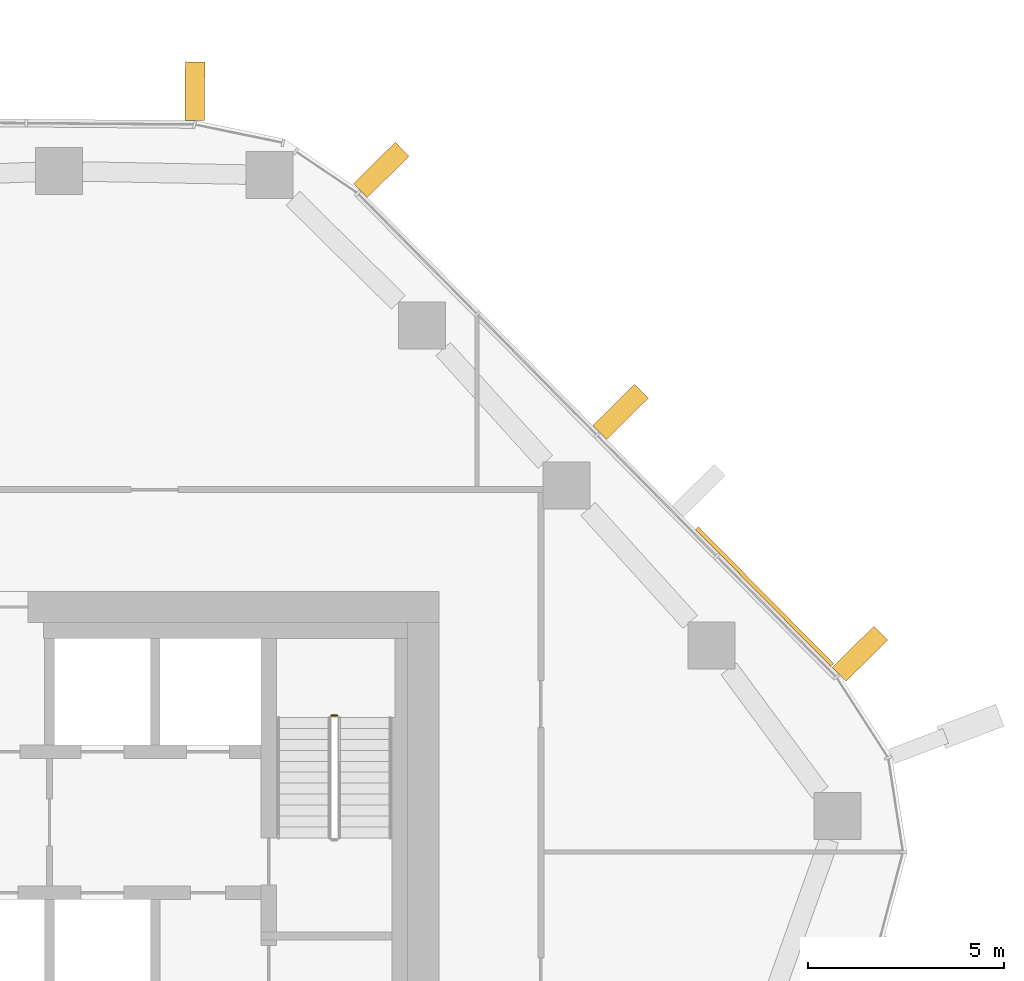
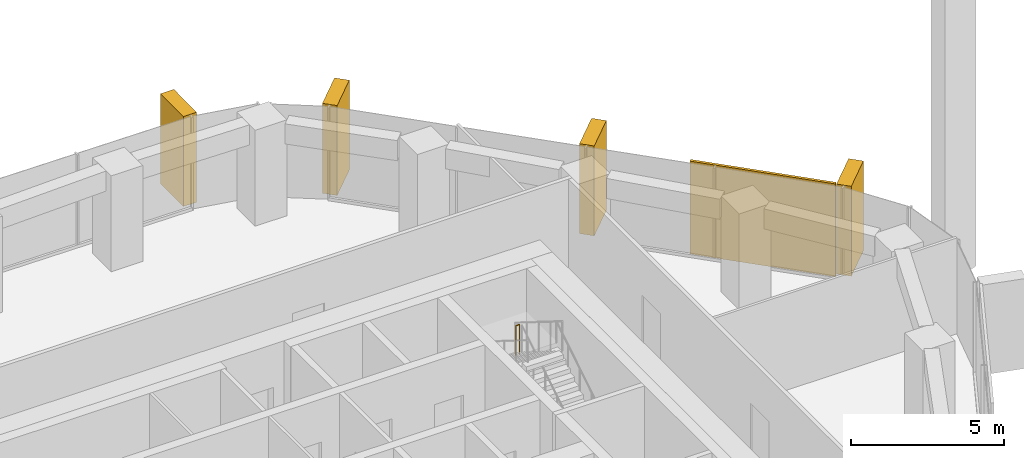
# One storey, part 18 of 18: 5 coverings, 1 railing, 2 elements without a shape of their own.
"""IFC4 building model written with IfcOpenShell, lengths in metres."""

from ifc_helpers import new_model, si_unit, direction, frame, origin, origin_2d, place, context, subcontext, project, spatial, rectangle, circle, extrude, material, layer, layer_set, material_profile, profile_set, type_object, element, aggregate, save


model = new_model("IFC4")

# Units and contexts
model_context = context("Model", 3, precision=1e-05, world=origin(), true_north=direction((0.0, 1.0)))
body_context = subcontext(model_context, "Body", "Model", "MODEL_VIEW")
ifc_project = project(units=[si_unit("LENGTHUNIT", "METRE"), si_unit("AREAUNIT", "SQUARE_METRE"), si_unit("VOLUMEUNIT", "CUBIC_METRE"), si_unit("PLANEANGLEUNIT", "RADIAN"), si_unit("MASSUNIT", "GRAM", prefix="KILO")], contexts=[model_context])

# Site, building, storey
site_placement = place(None, origin())
site = spatial("IfcSite", under=ifc_project, at=site_placement, CompositionType="ELEMENT")
building_placement = place(site_placement, origin())
building = spatial("IfcBuilding", under=site, at=building_placement, Name="Dongbaek Canopy Tower", CompositionType="ELEMENT")
storey_placement = place(building_placement, frame((0.0, 0.0, 171.199951171875)))
storey = spatial("IfcBuildingStorey", under=building, at=storey_placement, Name="L37", CompositionType="ELEMENT", Elevation=171.199951171875)

# Curtain wall, coverings
ifc_material_1 = material(Name="Aluminium 6063-T6 pale anodised", Category="aluminium")
ifc_layer_1 = layer(ifc_material_1, 0.199951171875)
ifc_layer_set_1 = layer_set([ifc_layer_1], Name="CW-1 unitised tower curtain wall")
curtain_wall_type = type_object("IfcCurtainWallType", Name="CW-1 unitised tower curtain wall", PredefinedType="NOTDEFINED", material=ifc_layer_set_1)
curtain_wall_1_placement = place(storey_placement, origin())
curtain_wall_1 = element("IfcCurtainWall", 1, at=curtain_wall_1_placement, inside=storey, type_object=curtain_wall_type, Name="CW-1 curtain wall F0.1", PredefinedType="NOTDEFINED")
ifc_material_2 = material(Name="Perforated aluminium 6063-T6 pale metal screen", Category="aluminium")
ifc_layer_2 = layer(ifc_material_2, 0.10009765625)
ifc_layer_set_2 = layer_set([ifc_layer_2], Name="Facet screen FS1 100 pale metal")
covering_type_1 = type_object("IfcCoveringType", Name="Facet screen FS1 100 pale metal", PredefinedType="CLADDING", material=ifc_layer_set_2)
covering_1_placement = place(storey_placement, frame((22.3203125, 10.862548828125, 0.0), z_axis=(0.0, 0.0, 1.0), x_axis=(-0.703201146399, 0.710990961759, 0.0)))
covering_1 = element("IfcCovering", 2, at=covering_1_placement, type_object=covering_type_1, Name="Facet screen L37 F0", PredefinedType="CLADDING", context=body_context, shape_type="SweptSolid", body=[
    extrude(rectangle(XDim=4.9130859375, YDim=0.10009765625, at=origin_2d()), origin(), (0.0, 0.0, 1.0), 3.699951171875),
])
ifc_material_3 = material(Name="Aluminium 6063-T6 pale metal fin", Category="aluminium")
ifc_material_profile = material_profile(ifc_material_3, rectangle(XDim=1.5, YDim=0.5, at=origin_2d()), Name="Fin FN1 500 x 1500 pale metal")
ifc_profile_set = profile_set([ifc_material_profile], Name="Aluminium 6063-T6 pale metal fin")
covering_type_2 = type_object("IfcCoveringType", Name="Fin FN1 500 x 1500 pale metal", PredefinedType="CLADDING", material=ifc_profile_set)
covering_2_placement = place(storey_placement, frame((24.752197265625, 9.40478515625, 0.1201171875), z_axis=(0.0, 0.0, 1.0), x_axis=(0.710991357912, 0.703200745857, 0.0)))
covering_2 = element("IfcCovering", 3, at=covering_2_placement, type_object=covering_type_2, Name="Fin F0.1.1", PredefinedType="CLADDING", context=body_context, shape_type="SweptSolid", body=[
    extrude(rectangle(XDim=1.5, YDim=0.5, at=origin_2d()), origin(), (0.0, 0.0, 1.0), 3.579833984375),
])
covering_3_placement = place(storey_placement, frame((18.63916015625, 15.585693359375, 0.1201171875), z_axis=(0.0, 0.0, 1.0), x_axis=(0.710991357912, 0.703200745857, 0.0)))
covering_3 = element("IfcCovering", 4, at=covering_3_placement, type_object=covering_type_2, Name="Fin F0.1.3", PredefinedType="CLADDING", context=body_context, shape_type="SweptSolid", body=[
    extrude(rectangle(XDim=1.5, YDim=0.5, at=origin_2d()), origin(), (0.0, 0.0, 1.0), 3.579833984375),
])
covering_4_placement = place(storey_placement, frame((12.525634765625, 21.766845703125, 0.1201171875), z_axis=(0.0, 0.0, 1.0), x_axis=(0.710991357912, 0.703200745857, 0.0)))
covering_4 = element("IfcCovering", 5, at=covering_4_placement, type_object=covering_type_2, Name="Fin F0.1.5", PredefinedType="CLADDING", context=body_context, shape_type="SweptSolid", body=[
    extrude(rectangle(XDim=1.5, YDim=0.5, at=origin_2d()), origin(), (0.0, 0.0, 1.0), 3.579833984375),
])
aggregate(curtain_wall_1, [covering_2, covering_3, covering_4, covering_1])

# Curtain wall, covering
curtain_wall_2_placement = place(storey_placement, origin())
curtain_wall_2 = element("IfcCurtainWall", 6, at=curtain_wall_2_placement, inside=storey, type_object=curtain_wall_type, Name="CW-1 curtain wall F1.1", PredefinedType="NOTDEFINED")
covering_5_placement = place(storey_placement, frame((7.7626953125, 23.777099609375, 0.1201171875), z_axis=(0.0, 0.0, 1.0), x_axis=(0.007847305301, 0.999969209426, 0.0)))
covering_5 = element("IfcCovering", 7, at=covering_5_placement, type_object=covering_type_2, Name="Fin F1.1.1", PredefinedType="CLADDING", context=body_context, shape_type="SweptSolid", body=[
    extrude(rectangle(XDim=1.5, YDim=0.5, at=origin_2d()), origin(), (0.0, 0.0, 1.0), 3.579833984375),
])
aggregate(curtain_wall_2, [covering_5])

# Railing
ifc_material_4 = material(Name="Stainless steel tube and balusters", Category="steel")
railing_type = type_object("IfcRailingType", Name="Stair guard 1200", PredefinedType="GUARDRAIL", material=ifc_material_4)
railing_placement = place(storey_placement, frame((11.39990234375, 7.830078125, 2.10009765625)))
element("IfcRailing", 8, at=railing_placement, inside=storey, type_object=railing_type, Name="L37 ST-A stair guard 2", PredefinedType="GUARDRAIL", context=body_context, shape_type="SweptSolid", body=[
    extrude(circle(Radius=0.02392578125, at=origin_2d()), frame((0.0, 0.0, 1.17578125), z_axis=(-1.0, 0.0, 0.0), x_axis=(0.0, -1.0, 0.0)), (0.0, 0.0, 1.0), 0.14990234375),
    extrude(circle(Radius=0.02099609375, at=origin_2d()), origin(), (0.0, 0.0, 1.0), 1.15185546875),
    extrude(circle(Radius=0.02099609375, at=origin_2d()), frame((-0.14990234375, 0.0, 0.0)), (0.0, 0.0, 1.0), 1.15185546875),
])

save(model, "model.ifc")
